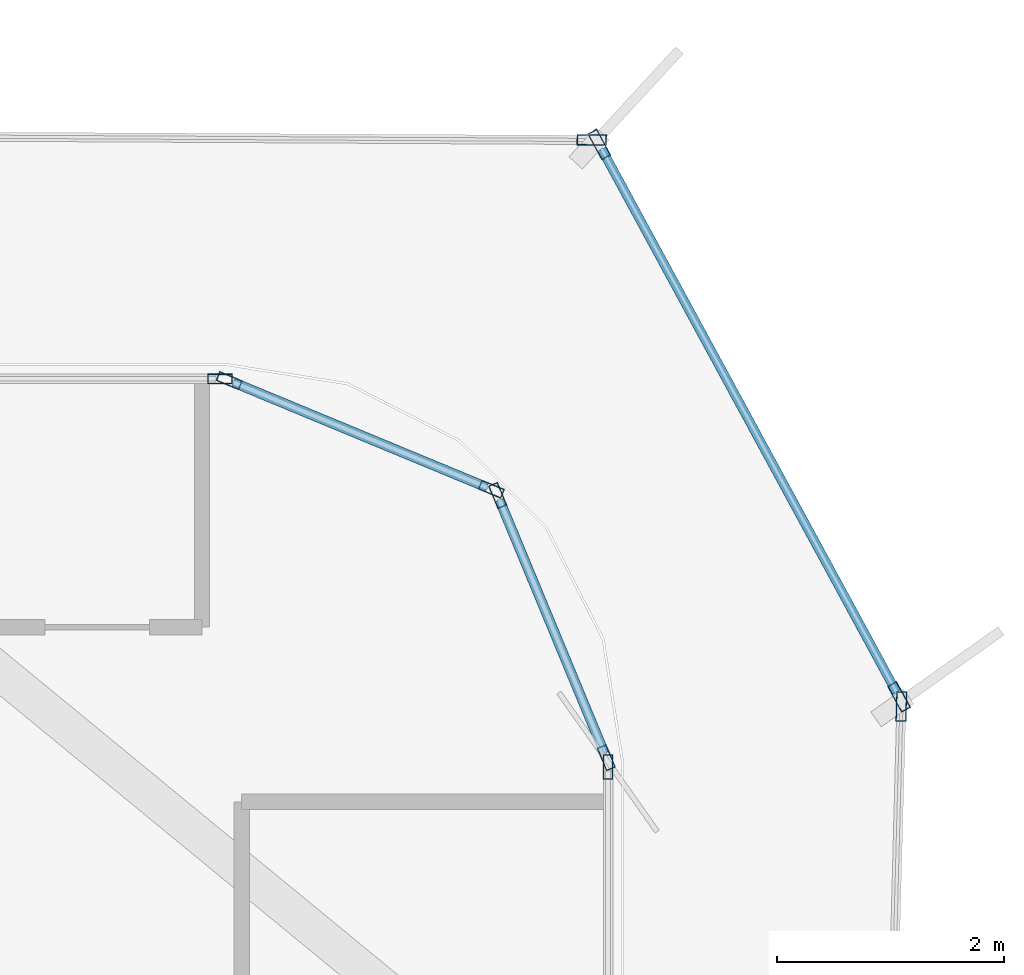
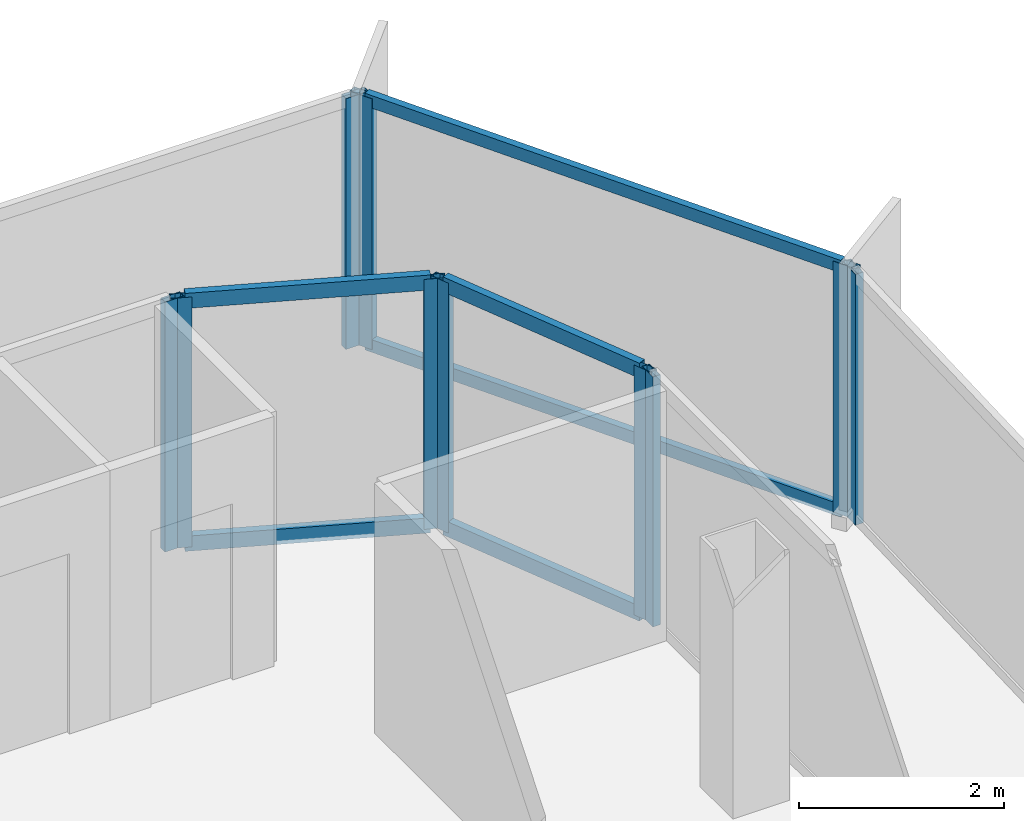
# One storey, part 8 of 15: 16 members, 7 elements without a shape of their own.
"""IFC4 building model written with IfcOpenShell, lengths in metres."""

from ifc_helpers import new_model, si_unit, direction, frame, origin, origin_2d, place, context, subcontext, project, spatial, hollow_rectangle, extrude, source, transform, mapped, material, layer, layer_set, material_profile, profile_set, type_object, element, aggregate, save


model = new_model("IFC4")

# Units and contexts
model_context = context("Model", 3, precision=1e-05, world=origin(), true_north=direction((0.0, 1.0)))
body_context = subcontext(model_context, "Body", "Model", "MODEL_VIEW")
ifc_project = project(units=[si_unit("LENGTHUNIT", "METRE"), si_unit("AREAUNIT", "SQUARE_METRE"), si_unit("VOLUMEUNIT", "CUBIC_METRE"), si_unit("PLANEANGLEUNIT", "RADIAN"), si_unit("MASSUNIT", "GRAM", prefix="KILO")], contexts=[model_context])

# Site, building, storey
site_placement = place(None, origin())
site = spatial("IfcSite", under=ifc_project, at=site_placement, CompositionType="ELEMENT")
building_placement = place(site_placement, origin())
building = spatial("IfcBuilding", under=site, at=building_placement, Name="Kolveth Station Tower", CompositionType="ELEMENT")
storey_placement = place(building_placement, frame((0.0, 0.0, 252.10009765625)))
storey = spatial("IfcBuildingStorey", under=building, at=storey_placement, Name="L72", CompositionType="ELEMENT", Elevation=252.10009765625)

# Curtain wall, member
ifc_material_1 = material(Name="Black anodized aluminium 6063-T6 and dark solar glass", Category="aluminium")
ifc_layer_1 = layer(ifc_material_1, 0.159912109375)
ifc_layer_set_1 = layer_set([ifc_layer_1], Name="Black anodized aluminium 6063-T6 and dark solar glass")
curtain_wall_type_1 = type_object("IfcCurtainWallType", Name="OUTER SKIN CW-OS", PredefinedType="NOTDEFINED", material=ifc_layer_set_1)
curtain_wall_1_placement = place(storey_placement, origin())
curtain_wall_1 = element("IfcCurtainWall", 1, at=curtain_wall_1_placement, inside=storey, type_object=curtain_wall_type_1, Name="L72 Outer Ventilated Skin Curtain Wall 2", PredefinedType="NOTDEFINED")
ifc_material_2 = material(Name="Black anodized aluminium 6063-T6", Category="aluminium")
ifc_material_profile_1 = material_profile(ifc_material_2, hollow_rectangle(XDim=0.090087890625, YDim=0.260009765625, WallThickness=0.0048828125, at=origin_2d()), Name="ALU-90x260x5")
ifc_profile_set_1 = profile_set([ifc_material_profile_1], Name="Black anodized aluminium 6063-T6")
member_type_1 = type_object("IfcMemberType", Name="FIN MULLION ML-OS", PredefinedType="MULLION", material=ifc_profile_set_1)
shared_shape_1 = source(origin(), body_context, "Body", "SweptSolid", [
    extrude(hollow_rectangle(XDim=0.090087890625, YDim=0.260009765625, WallThickness=0.0048828125, at=origin_2d()), origin(), (0.0, 0.0, 1.0), 2.989990234375),
])
member_1_placement = place(storey_placement, frame((44.265380859375, 32.291259765625, 0.0), z_axis=(0.0, 0.0, 1.0), x_axis=(-0.999647203254, 0.026560666911, 0.0)))
member_1 = element("IfcMember", 2, at=member_1_placement, type_object=member_type_1, Name="CW-OS mullion 2", PredefinedType="MULLION", context=body_context, shape_type="MappedRepresentation", body=[
    mapped(shared_shape_1, transform((0.0, 0.0, 0.0), x_axis=(1.0, 0.0, 0.0), y_axis=(0.0, 1.0, 0.0), z_axis=(0.0, 0.0, 1.0), scale=1.0)),
])
aggregate(curtain_wall_1, [member_1])

# Curtain wall, members
curtain_wall_2_placement = place(storey_placement, origin())
curtain_wall_2 = element("IfcCurtainWall", 3, at=curtain_wall_2_placement, inside=storey, type_object=curtain_wall_type_1, Name="L72 Outer Ventilated Skin Curtain Wall 3", PredefinedType="NOTDEFINED")
member_2_placement = place(storey_placement, frame((44.2451171875, 32.375732421875, 0.0), z_axis=(0.0, 0.0, 1.0), x_axis=(-0.878898105512, -0.477009559786, 0.0)))
member_2 = element("IfcMember", 4, at=member_2_placement, type_object=member_type_1, Name="CW-OS mullion 1", PredefinedType="MULLION", context=body_context, shape_type="MappedRepresentation", body=[
    mapped(shared_shape_1, transform((0.0, 0.0, 0.0), x_axis=(1.0, 0.0, 0.0), y_axis=(0.0, 1.0, 0.0), z_axis=(0.0, 0.0, 1.0), scale=1.0)),
])
member_3_placement = place(storey_placement, frame((41.60205078125, 37.24560546875, 0.0), z_axis=(0.0, 0.0, 1.0), x_axis=(-0.878898105512, -0.477009559786, 0.0)))
member_3 = element("IfcMember", 5, at=member_3_placement, type_object=member_type_1, Name="CW-OS mullion 2", PredefinedType="MULLION", context=body_context, shape_type="MappedRepresentation", body=[
    mapped(shared_shape_1, transform((0.0, 0.0, 0.0), x_axis=(1.0, 0.0, 0.0), y_axis=(0.0, 1.0, 0.0), z_axis=(0.0, 0.0, 1.0), scale=1.0)),
])

# Curtain wall, member
curtain_wall_3_placement = place(storey_placement, origin())
curtain_wall_3 = element("IfcCurtainWall", 6, at=curtain_wall_3_placement, inside=storey, type_object=curtain_wall_type_1, Name="L72 Outer Ventilated Skin Curtain Wall 4", PredefinedType="NOTDEFINED")
member_4_placement = place(storey_placement, frame((41.53564453125, 37.285400390625, 0.0), z_axis=(0.0, 0.0, 1.0), x_axis=(-0.005381144399, -0.999985521538, 0.0)))
member_4 = element("IfcMember", 7, at=member_4_placement, type_object=member_type_1, Name="CW-OS mullion 1", PredefinedType="MULLION", context=body_context, shape_type="MappedRepresentation", body=[
    mapped(shared_shape_1, transform((0.0, 0.0, 0.0), x_axis=(1.0, 0.0, 0.0), y_axis=(0.0, 1.0, 0.0), z_axis=(0.0, 0.0, 1.0), scale=1.0)),
])
aggregate(curtain_wall_3, [member_4])

ifc_material_3 = material(Name="Aluminium 6063-T6 and triple low-E dark glass", Category="aluminium")
ifc_layer_2 = layer(ifc_material_3, 0.199951171875)
ifc_layer_set_2 = layer_set([ifc_layer_2], Name="Aluminium 6063-T6 and triple low-E dark glass")
curtain_wall_type_2 = type_object("IfcCurtainWallType", Name="CurtainWall_CW-Z3", PredefinedType="NOTDEFINED", material=ifc_layer_set_2)
curtain_wall_4_placement = place(storey_placement, origin())
curtain_wall_4 = element("IfcCurtainWall", 8, at=curtain_wall_4_placement, inside=storey, type_object=curtain_wall_type_2, Name="L72 Inner Thermal Curtain Wall 3", PredefinedType="NOTDEFINED")
ifc_material_profile_2 = material_profile(ifc_material_2, hollow_rectangle(XDim=0.0849609375, YDim=0.215087890625, WallThickness=0.0048828125, at=origin_2d()), Name="ALU-85x215x5")
ifc_profile_set_2 = profile_set([ifc_material_profile_2], Name="Black anodized aluminium 6063-T6")
member_type_2 = type_object("IfcMemberType", Name="Mullion_ML3", PredefinedType="MULLION", material=ifc_profile_set_2)
shared_shape_2 = source(origin(), body_context, "Body", "SweptSolid", [
    extrude(hollow_rectangle(XDim=0.0849609375, YDim=0.215087890625, WallThickness=0.0048828125, at=origin_2d()), origin(), (0.0, 0.0, 1.0), 2.97998046875),
])
member_5_placement = place(storey_placement, frame((41.679931640625, 31.757568359375, 0.0), z_axis=(0.0, 0.0, 1.0), x_axis=(-1.0, 0.0, 0.0)))
member_5 = element("IfcMember", 9, at=member_5_placement, type_object=member_type_2, Name="CW-Z3 mullion 2", PredefinedType="MULLION", context=body_context, shape_type="MappedRepresentation", body=[
    mapped(shared_shape_2, transform((0.0, 0.0, 0.0), x_axis=(1.0, 0.0, 0.0), y_axis=(0.0, 1.0, 0.0), z_axis=(0.0, 0.0, 1.0), scale=1.0)),
])
aggregate(curtain_wall_4, [member_5])

# Curtain wall, members
curtain_wall_5_placement = place(storey_placement, origin())
curtain_wall_5 = element("IfcCurtainWall", 10, at=curtain_wall_5_placement, inside=storey, type_object=curtain_wall_type_2, Name="L72 Inner Thermal Curtain Wall 4", PredefinedType="NOTDEFINED")
member_6_placement = place(storey_placement, frame((41.663818359375, 31.83935546875, 0.0), z_axis=(0.0, 0.0, 1.0), x_axis=(-0.923875488975, -0.382693194181, 0.0)))
member_6 = element("IfcMember", 11, at=member_6_placement, type_object=member_type_2, Name="CW-Z3 mullion 1", PredefinedType="MULLION", context=body_context, shape_type="MappedRepresentation", body=[
    mapped(shared_shape_2, transform((0.0, 0.0, 0.0), x_axis=(1.0, 0.0, 0.0), y_axis=(0.0, 1.0, 0.0), z_axis=(0.0, 0.0, 1.0), scale=1.0)),
])
member_7_placement = place(storey_placement, frame((40.706298828125, 34.150634765625, 0.0), z_axis=(0.0, 0.0, 1.0), x_axis=(-0.923875488975, -0.382693194181, 0.0)))
member_7 = element("IfcMember", 12, at=member_7_placement, type_object=member_type_2, Name="CW-Z3 mullion 2", PredefinedType="MULLION", context=body_context, shape_type="MappedRepresentation", body=[
    mapped(shared_shape_2, transform((0.0, 0.0, 0.0), x_axis=(1.0, 0.0, 0.0), y_axis=(0.0, 1.0, 0.0), z_axis=(0.0, 0.0, 1.0), scale=1.0)),
])

curtain_wall_6_placement = place(storey_placement, origin())
curtain_wall_6 = element("IfcCurtainWall", 13, at=curtain_wall_6_placement, inside=storey, type_object=curtain_wall_type_2, Name="L72 Inner Thermal Curtain Wall 5", PredefinedType="NOTDEFINED")
member_8_placement = place(storey_placement, frame((40.650634765625, 34.206298828125, 0.0), z_axis=(0.0, 0.0, 1.0), x_axis=(-0.382693194181, -0.923875488975, 0.0)))
member_8 = element("IfcMember", 14, at=member_8_placement, type_object=member_type_2, Name="CW-Z3 mullion 1", PredefinedType="MULLION", context=body_context, shape_type="MappedRepresentation", body=[
    mapped(shared_shape_2, transform((0.0, 0.0, 0.0), x_axis=(1.0, 0.0, 0.0), y_axis=(0.0, 1.0, 0.0), z_axis=(0.0, 0.0, 1.0), scale=1.0)),
])
member_9_placement = place(storey_placement, frame((38.33935546875, 35.163818359375, 0.0), z_axis=(0.0, 0.0, 1.0), x_axis=(-0.382693194181, -0.923875488975, 0.0)))
member_9 = element("IfcMember", 15, at=member_9_placement, type_object=member_type_2, Name="CW-Z3 mullion 2", PredefinedType="MULLION", context=body_context, shape_type="MappedRepresentation", body=[
    mapped(shared_shape_2, transform((0.0, 0.0, 0.0), x_axis=(1.0, 0.0, 0.0), y_axis=(0.0, 1.0, 0.0), z_axis=(0.0, 0.0, 1.0), scale=1.0)),
])

# Curtain wall, member
curtain_wall_7_placement = place(storey_placement, origin())
curtain_wall_7 = element("IfcCurtainWall", 16, at=curtain_wall_7_placement, inside=storey, type_object=curtain_wall_type_2, Name="L72 Inner Thermal Curtain Wall 6", PredefinedType="NOTDEFINED")
member_10_placement = place(storey_placement, frame((38.257568359375, 35.179931640625, 0.0), z_axis=(0.0, 0.0, 1.0), x_axis=(0.0, -1.0, 0.0)))
member_10 = element("IfcMember", 17, at=member_10_placement, type_object=member_type_2, Name="CW-Z3 mullion 1", PredefinedType="MULLION", context=body_context, shape_type="MappedRepresentation", body=[
    mapped(shared_shape_2, transform((0.0, 0.0, 0.0), x_axis=(1.0, 0.0, 0.0), y_axis=(0.0, 1.0, 0.0), z_axis=(0.0, 0.0, 1.0), scale=1.0)),
])
aggregate(curtain_wall_7, [member_10])

# Member
ifc_material_profile_3 = material_profile(ifc_material_2, hollow_rectangle(XDim=0.0849609375, YDim=0.179931640625, WallThickness=0.0048828125, at=origin_2d()), Name="ALU-85x180x5")
ifc_profile_set_3 = profile_set([ifc_material_profile_3], Name="Black anodized aluminium 6063-T6")
member_type_3 = type_object("IfcMemberType", Name="Transom_TR3", PredefinedType="USERDEFINED", material=ifc_profile_set_3)
shared_shape_3 = source(origin(), body_context, "Body", "SweptSolid", [
    extrude(hollow_rectangle(XDim=0.0849609375, YDim=0.179931640625, WallThickness=0.0048828125, at=origin_2d()), origin(), (0.0, 0.0, 1.0), 2.417236328125),
])
member_11_placement = place(storey_placement, frame((41.6474609375, 31.87841796875, 0.04248046875), z_axis=(-0.382699687013, 0.923872799448, 0.0), x_axis=(-0.923872799448, -0.382699687013, 0.0)))
member_11 = element("IfcMember", 18, at=member_11_placement, type_object=member_type_3, Name="CW-Z3 transom 1.1", ObjectType="TRANSOM", PredefinedType="USERDEFINED", context=body_context, shape_type="MappedRepresentation", body=[
    mapped(shared_shape_3, transform((0.0, 0.0, 0.0), x_axis=(1.0, 0.0, 0.0), y_axis=(0.0, 1.0, 0.0), z_axis=(0.0, 0.0, 1.0), scale=1.0)),
])

member_12_placement = place(storey_placement, frame((41.6474609375, 31.87841796875, 2.9375), z_axis=(-0.382699687013, 0.923872799448, 0.0), x_axis=(-0.923872799448, -0.382699687013, 0.0)))
member_12 = element("IfcMember", 19, at=member_12_placement, type_object=member_type_3, Name="CW-Z3 transom 1.2", ObjectType="TRANSOM", PredefinedType="USERDEFINED", context=body_context, shape_type="MappedRepresentation", body=[
    mapped(shared_shape_3, transform((0.0, 0.0, 0.0), x_axis=(1.0, 0.0, 0.0), y_axis=(0.0, 1.0, 0.0), z_axis=(0.0, 0.0, 1.0), scale=1.0)),
])

aggregate(curtain_wall_5, [member_6, member_7, member_11, member_12])

member_13_placement = place(storey_placement, frame((40.611572265625, 34.222412109375, 0.04248046875), z_axis=(-0.923872799448, 0.382699687013, 0.0), x_axis=(-0.382699687013, -0.923872799448, 0.0)))
member_13 = element("IfcMember", 20, at=member_13_placement, type_object=member_type_3, Name="CW-Z3 transom 1.1", ObjectType="TRANSOM", PredefinedType="USERDEFINED", context=body_context, shape_type="MappedRepresentation", body=[
    mapped(shared_shape_3, transform((0.0, 0.0, 0.0), x_axis=(1.0, 0.0, 0.0), y_axis=(0.0, 1.0, 0.0), z_axis=(0.0, 0.0, 1.0), scale=1.0)),
])

member_14_placement = place(storey_placement, frame((40.611572265625, 34.222412109375, 2.9375), z_axis=(-0.923872799448, 0.382699687013, 0.0), x_axis=(-0.382699687013, -0.923872799448, 0.0)))
member_14 = element("IfcMember", 21, at=member_14_placement, type_object=member_type_3, Name="CW-Z3 transom 1.2", ObjectType="TRANSOM", PredefinedType="USERDEFINED", context=body_context, shape_type="MappedRepresentation", body=[
    mapped(shared_shape_3, transform((0.0, 0.0, 0.0), x_axis=(1.0, 0.0, 0.0), y_axis=(0.0, 1.0, 0.0), z_axis=(0.0, 0.0, 1.0), scale=1.0)),
])

aggregate(curtain_wall_6, [member_8, member_9, member_13, member_14])

ifc_material_profile_4 = material_profile(ifc_material_2, hollow_rectangle(XDim=0.080078125, YDim=0.14990234375, WallThickness=0.0048828125, at=origin_2d()), Name="ALU-80x150x5")
ifc_profile_set_4 = profile_set([ifc_material_profile_4], Name="Black anodized aluminium 6063-T6")
member_type_4 = type_object("IfcMemberType", Name="Transom_TR-OS", PredefinedType="USERDEFINED", material=ifc_profile_set_4)
shared_shape_4 = source(origin(), body_context, "Body", "SweptSolid", [
    extrude(hollow_rectangle(XDim=0.080078125, YDim=0.14990234375, WallThickness=0.0048828125, at=origin_2d()), origin(), (0.0, 0.0, 1.0), 5.450927734375),
])
member_15_placement = place(storey_placement, frame((44.2236328125, 32.415283203125, 0.039794921875), z_axis=(-0.477005868585, 0.878900108849, 0.0), x_axis=(-0.878900108849, -0.477005868585, 0.0)))
member_15 = element("IfcMember", 22, at=member_15_placement, type_object=member_type_4, Name="CW-OS transom 1.1", ObjectType="TRANSOM", PredefinedType="USERDEFINED", context=body_context, shape_type="MappedRepresentation", body=[
    mapped(shared_shape_4, transform((0.0, 0.0, 0.0), x_axis=(1.0, 0.0, 0.0), y_axis=(0.0, 1.0, 0.0), z_axis=(0.0, 0.0, 1.0), scale=1.0)),
])

member_16_placement = place(storey_placement, frame((44.2236328125, 32.415283203125, 2.949951171875), z_axis=(-0.477005868585, 0.878900108849, 0.0), x_axis=(-0.878900108849, -0.477005868585, 0.0)))
member_16 = element("IfcMember", 23, at=member_16_placement, type_object=member_type_4, Name="CW-OS transom 1.2", ObjectType="TRANSOM", PredefinedType="USERDEFINED", context=body_context, shape_type="MappedRepresentation", body=[
    mapped(shared_shape_4, transform((0.0, 0.0, 0.0), x_axis=(1.0, 0.0, 0.0), y_axis=(0.0, 1.0, 0.0), z_axis=(0.0, 0.0, 1.0), scale=1.0)),
])

aggregate(curtain_wall_2, [member_2, member_3, member_15, member_16])

save(model, "model.ifc")
